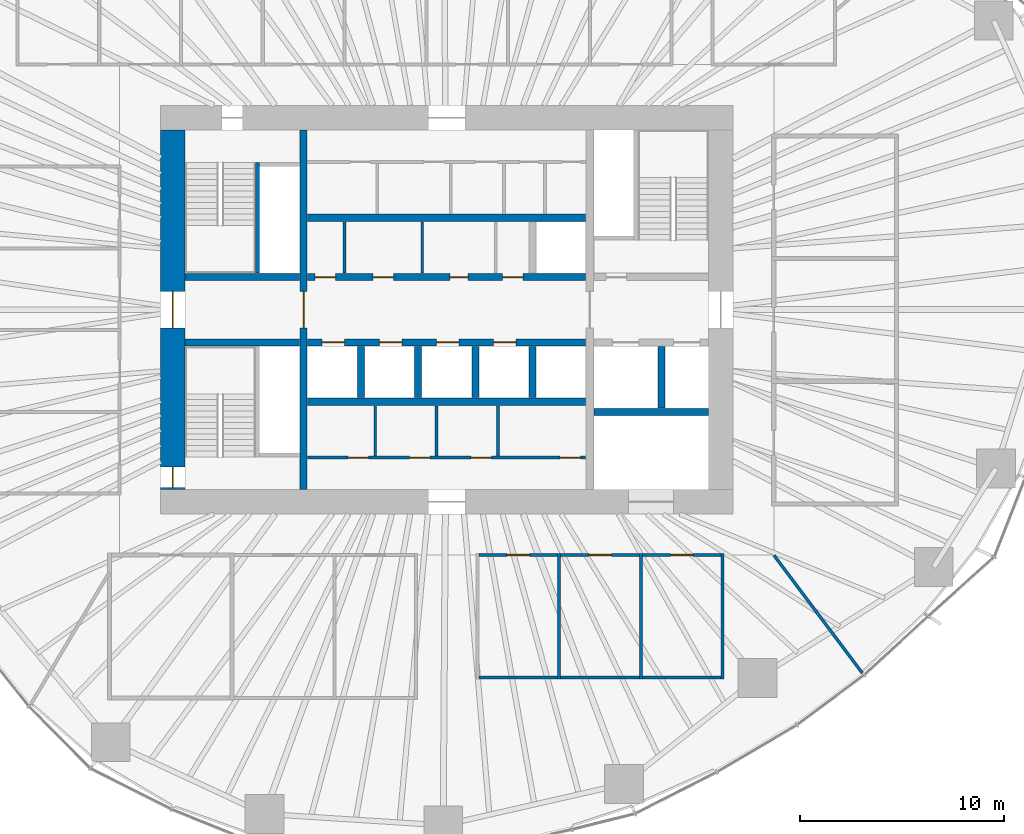
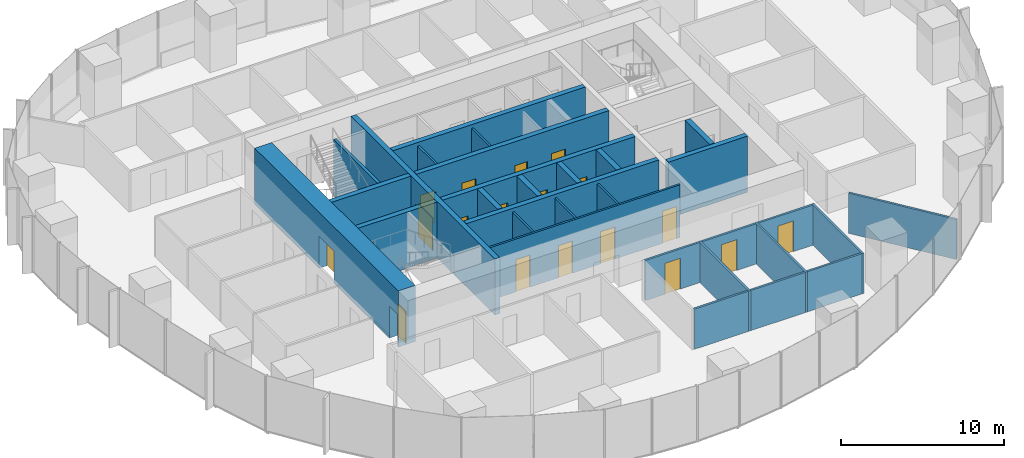
# One storey, part 9 of 20: 31 walls, 18 doors, 18 openings.
"""IFC4 building model written with IfcOpenShell, lengths in metres."""

import ifcopenshell
import ifcopenshell.guid

model = None  # the IFC model being written
_history = None  # IfcOwnerHistory: only IFC2X3 demands one
_inside = {}  # id of a spatial element -> (the spatial element, [elements in it])
_under = {}  # id of a project, library or spatial element -> (it, [spatial elements below it])
_declared = {}  # id of a project -> (the project, [libraries it declares])
_typed = {}  # id of a type object -> (the type object, [elements of that type])
_made_of = {}  # id of a material, layer set ... -> (it, [elements and type objects made of it])


def new_model(schema):
    """Start an empty IFC model of exactly this schema.

    Asked for "IFC4X3", IfcOpenShell would pick the latest addendum, in which some entities
    have other attributes; the version numbers below select the first issue.
    IFC2X3 requires an IfcOwnerHistory on every rooted entity: one is made here for all.
    """
    global model, _history
    if schema == "IFC4X3":
        model = ifcopenshell.file(schema_version=(4, 3, 0, 0))
    else:
        model = ifcopenshell.file(schema=schema)
    _inside.clear()
    _under.clear()
    _declared.clear()
    _typed.clear()
    _made_of.clear()
    _history = None
    if model.schema == "IFC2X3":
        org = make("IfcOrganization", Name="unknown")
        user = make(
            "IfcPersonAndOrganization",
            ThePerson=make("IfcPerson", FamilyName="unknown"),
            TheOrganization=org,
        )
        app = make(
            "IfcApplication",
            ApplicationDeveloper=org,
            Version="unknown",
            ApplicationFullName="unknown",
            ApplicationIdentifier="unknown",
        )
        _history = make(
            "IfcOwnerHistory",
            OwningUser=user,
            OwningApplication=app,
            ChangeAction="ADDED",
            CreationDate=0,
        )
    return model


def make(cls, **values):
    """One entity of the class cls with the attributes given. An attribute that is None is left unset."""
    return model.create_entity(
        cls, **{name: value for name, value in values.items() if value is not None}
    )


def rooted(cls, **values):
    """An entity with a GlobalId (a new one), such as an element, a storey or a relation."""
    return make(cls, GlobalId=ifcopenshell.guid.new(), OwnerHistory=_history, **values)


def si_unit(unit_type, name, prefix=None):
    """IfcSIUnit, for example si_unit("LENGTHUNIT", "METRE", prefix="MILLI")."""
    return make("IfcSIUnit", UnitType=unit_type, Prefix=prefix, Name=name)


def assignment(units):
    """IfcUnitAssignment: the units of a project."""
    return None if units is None else make("IfcUnitAssignment", Units=units)


def point(xyz):
    """IfcCartesianPoint."""
    return None if xyz is None else make("IfcCartesianPoint", Coordinates=xyz)


def direction(xyz):
    """IfcDirection."""
    return None if xyz is None else make("IfcDirection", DirectionRatios=xyz)


def frame(location, z_axis=None, x_axis=None):
    """IfcAxis2Placement3D, a coordinate frame: its origin and axes. An axis left out is left unset."""
    return make(
        "IfcAxis2Placement3D",
        Location=point(location),
        Axis=direction(z_axis),
        RefDirection=direction(x_axis),
    )


def frame_2d(location, x_axis=None):
    """IfcAxis2Placement2D, a coordinate frame in the plane: its origin and x axis."""
    return make(
        "IfcAxis2Placement2D", Location=point(location), RefDirection=direction(x_axis)
    )


def origin():
    """The frame at (0, 0, 0) with its axes left unset."""
    return frame((0.0, 0.0, 0.0))


def place(relative_to, where):
    """IfcLocalPlacement: puts the frame where relative to a parent placement (None: the world)."""
    return make(
        "IfcLocalPlacement", PlacementRelTo=relative_to, RelativePlacement=where
    )


def context(
    kind, dimensions, precision=None, world=None, true_north=None, identifier=None
):
    """IfcGeometricRepresentationContext, for example the 3D "Model" context."""
    return make(
        "IfcGeometricRepresentationContext",
        ContextIdentifier=identifier,
        ContextType=kind,
        CoordinateSpaceDimension=dimensions,
        Precision=precision,
        WorldCoordinateSystem=world,
        TrueNorth=true_north,
    )


def subcontext(parent, identifier, kind, view, scale=None):
    """IfcGeometricRepresentationSubContext, for example "Body" below "Model"."""
    return make(
        "IfcGeometricRepresentationSubContext",
        ContextIdentifier=identifier,
        ContextType=kind,
        ParentContext=parent,
        TargetScale=scale,
        TargetView=view,
    )


def project(units=None, contexts=None):
    """IfcProject with its units and contexts."""
    return rooted(
        "IfcProject",
        Name="project",
        RepresentationContexts=contexts,
        UnitsInContext=assignment(units),
    )


def spatial(cls, under=None, at=None, **own):
    """A site, building, storey or space (cls), placed at a placement, below another one or the project."""
    s = rooted(cls, ObjectPlacement=at, **own)
    if under is not None:
        _under.setdefault(under.id(), (under, []))[1].append(s)
    return s


def profile(cls, at=None, kind="AREA", **sizes):
    """A parametric profile (cls). Its sizes go by their IFC names, for example OverallWidth=200.0."""
    return make(cls, ProfileType=kind, Position=at, **sizes)


def rectangle(**sizes):
    """IfcRectangleProfileDef."""
    return profile("IfcRectangleProfileDef", **sizes)


def extrude(swept, where, along, depth):
    """IfcExtrudedAreaSolid: the profile swept, set in the frame where, extruded along a direction by depth."""
    return make(
        "IfcExtrudedAreaSolid",
        SweptArea=swept,
        Position=where,
        ExtrudedDirection=direction(along),
        Depth=depth,
    )


def shape(context_of_items, identifier, shape_type, items):
    """IfcShapeRepresentation: the items that make up one representation, for example the "Body"."""
    return make(
        "IfcShapeRepresentation",
        ContextOfItems=context_of_items,
        RepresentationIdentifier=identifier,
        RepresentationType=shape_type,
        Items=items,
    )


def material(Name=None, Category=None):
    """IfcMaterial."""
    return make("IfcMaterial", Name=Name, Category=Category)


def layer(
    of_material, thickness, ventilated=None, Name=None, Category=None, Priority=None
):
    """IfcMaterialLayer: one layer of a wall or slab, of a material (None: an air gap)."""
    return make(
        "IfcMaterialLayer",
        Material=of_material,
        LayerThickness=thickness,
        IsVentilated=ventilated,
        Name=Name,
        Category=Category,
        Priority=Priority,
    )


def layer_set(layers, Name=None):
    """IfcMaterialLayerSet."""
    return make("IfcMaterialLayerSet", MaterialLayers=layers, LayerSetName=Name)


def made_of(thing, what):
    """Note that an element or type object is made of a material, layer set ...; save() writes the relation."""
    if what is not None:
        _made_of.setdefault(what.id(), (what, []))[1].append(thing)
    return thing


def type_object(cls, material=None, **own):
    """A type object (cls), such as IfcWallType, which elements share."""
    return made_of(rooted(cls, **own), material)


def element(
    cls,
    number,
    at=None,
    inside=None,
    cuts=None,
    type_object=None,
    material=None,
    context=None,
    identifier="Body",
    shape_type=None,
    held_by="IfcProductDefinitionShape",
    body=None,
    shapes=None,
    **own,
):
    """One element of the class cls, such as IfcWall. Its Tag is "e" and its number.

    at: its placement. inside: the storey or other place that contains it. cuts: it is an
    opening in that element (IfcRelVoidsElement). A single representation is given by context,
    identifier, shape_type and body (its items); several are given by shapes. held_by: the class
    of the entity that holds the representations. save() writes the other relations.
    """
    e = rooted(cls, Tag="e%d" % number, ObjectPlacement=at, **own)
    if body is not None:
        shapes = [shape(context, identifier, shape_type, body)]
    if shapes is not None:
        e.Representation = make(held_by, Representations=shapes)
    if inside is not None:
        _inside.setdefault(inside.id(), (inside, []))[1].append(e)
    if cuts is not None:
        rooted(
            "IfcRelVoidsElement", RelatingBuildingElement=cuts, RelatedOpeningElement=e
        )
    if type_object is not None:
        _typed.setdefault(type_object.id(), (type_object, []))[1].append(e)
    return made_of(e, material)


def fill(opening, filler):
    """IfcRelFillsElement: the door or window that sits in an opening."""
    return rooted(
        "IfcRelFillsElement",
        RelatingOpeningElement=opening,
        RelatedBuildingElement=filler,
    )


def aggregate(whole, parts):
    """IfcRelAggregates: a whole, such as a stair, and the parts it consists of."""
    return rooted("IfcRelAggregates", RelatingObject=whole, RelatedObjects=parts)


def save(model, path):
    """Write the relations noted so far, then the file.

    IfcRelAggregates (storeys below a building ...), IfcRelContainedInSpatialStructure (elements
    in a storey), IfcRelDefinesByType, IfcRelAssociatesMaterial and IfcRelDeclares: one each for
    every whole, place, type object, material and project.
    """
    for whole, parts in _under.values():
        aggregate(whole, parts)
    for where, things in _inside.values():
        rooted(
            "IfcRelContainedInSpatialStructure",
            RelatedElements=things,
            RelatingStructure=where,
        )
    for kind, things in _typed.values():
        rooted("IfcRelDefinesByType", RelatedObjects=things, RelatingType=kind)
    for what, things in _made_of.values():
        rooted("IfcRelAssociatesMaterial", RelatedObjects=things, RelatingMaterial=what)
    for by, libraries in _declared.values():
        rooted("IfcRelDeclares", RelatingContext=by, RelatedDefinitions=libraries)
    model.write(path)


model = new_model("IFC4")

# Units and contexts
model_context = context("Model", 3, precision=1e-05, world=origin(), true_north=direction((0.0, 1.0)))
body_context = subcontext(model_context, "Body", "Model", "MODEL_VIEW")
ifc_project = project(units=[si_unit("LENGTHUNIT", "METRE"), si_unit("AREAUNIT", "SQUARE_METRE"), si_unit("VOLUMEUNIT", "CUBIC_METRE"), si_unit("PLANEANGLEUNIT", "RADIAN"), si_unit("MASSUNIT", "GRAM", prefix="KILO")], contexts=[model_context])

# Site, building, storey
site_placement = place(None, origin())
site = spatial("IfcSite", under=ifc_project, at=site_placement, CompositionType="ELEMENT")
building_placement = place(site_placement, origin())
building = spatial("IfcBuilding", under=site, at=building_placement, Name="Ghaith Harvest Tower", CompositionType="ELEMENT")
storey_placement = place(building_placement, frame((0.0, 0.0, 109.199951171875)))
storey = spatial("IfcBuildingStorey", under=building, at=storey_placement, Name="L22", CompositionType="ELEMENT", Elevation=109.199951171875)

# Wall, openings, doors
ifc_material_1 = material(Name="Concrete blockwork, fair-faced", Category="masonry")
ifc_layer_1 = layer(ifc_material_1, 0.139892578125)
ifc_layer_set_1 = layer_set([ifc_layer_1], Name="CORE PARTITION 140")
wall_type_1 = type_object("IfcWallType", Name="CORE PARTITION 140", PredefinedType="PARTITIONING", material=ifc_layer_set_1)
wall_1_placement = place(storey_placement, frame((-6.800048828125, -7.22998046875, 0.0), z_axis=(0.0, 0.0, 1.0), x_axis=(1.0, 0.0, 0.0)))
wall_1 = element("IfcWall", 1, at=wall_1_placement, inside=storey, type_object=wall_type_1, Name="Core partition L22", PredefinedType="PARTITIONING", context=body_context, shape_type="SweptSolid", body=[
    extrude(rectangle(XDim=13.60009765625, YDim=0.139892578125, at=frame_2d((6.800048828125, 0.0))), origin(), (0.0, 0.0, 1.0), 3.949951171875),
])
opening_1_placement = place(wall_1_placement, frame((1.97998046875, 0.0, 0.0)))
opening_1 = element("IfcOpeningElement", 2, at=opening_1_placement, cuts=wall_1, Name="Opening 22-013", PredefinedType="OPENING", context=body_context, shape_type="SweptSolid", body=[
    extrude(rectangle(XDim=1.0, YDim=2.39990234375, at=frame_2d((0.5, 1.199951171875))), frame((0.0, 0.080078125, 0.0), z_axis=(0.0, -1.0, 0.0), x_axis=(1.0, 0.0, 0.0)), (0.0, 0.0, 1.0), 0.159912109375),
])
opening_2_placement = place(wall_1_placement, frame((4.97998046875, 0.0, 0.0)))
opening_2 = element("IfcOpeningElement", 3, at=opening_2_placement, cuts=wall_1, Name="Opening 22-014", PredefinedType="OPENING", context=body_context, shape_type="SweptSolid", body=[
    extrude(rectangle(XDim=1.0, YDim=2.39990234375, at=frame_2d((0.5, 1.199951171875))), frame((0.0, 0.080078125, 0.0), z_axis=(0.0, -1.0, 0.0), x_axis=(1.0, 0.0, 0.0)), (0.0, 0.0, 1.0), 0.159912109375),
])
opening_3_placement = place(wall_1_placement, frame((7.97998046875, 0.0, 0.0)))
opening_3 = element("IfcOpeningElement", 4, at=opening_3_placement, cuts=wall_1, Name="Opening 22-015", PredefinedType="OPENING", context=body_context, shape_type="SweptSolid", body=[
    extrude(rectangle(XDim=1.0, YDim=2.39990234375, at=frame_2d((0.5, 1.199951171875))), frame((0.0, 0.080078125, 0.0), z_axis=(0.0, -1.0, 0.0), x_axis=(1.0, 0.0, 0.0)), (0.0, 0.0, 1.0), 0.159912109375),
])
opening_4_placement = place(wall_1_placement, frame((12.35009765625, 0.0, 0.0)))
opening_4 = element("IfcOpeningElement", 5, at=opening_4_placement, cuts=wall_1, Name="Opening 22-016", PredefinedType="OPENING", context=body_context, shape_type="SweptSolid", body=[
    extrude(rectangle(XDim=1.0, YDim=2.39990234375, at=frame_2d((0.5, 1.199951171875))), frame((0.0, 0.080078125, 0.0), z_axis=(0.0, -1.0, 0.0), x_axis=(1.0, 0.0, 0.0)), (0.0, 0.0, 1.0), 0.159912109375),
])
ifc_material_2 = material(Name="Steel fire door", Category="steel")
door_type_1 = type_object("IfcDoorType", Name="D3 FD90 1000x2400", OperationType="SINGLE_SWING_LEFT", PredefinedType="DOOR", material=ifc_material_2)
door_1_placement = place(opening_1_placement, origin())
door_1 = element("IfcDoor", 6, at=door_1_placement, inside=storey, type_object=door_type_1, Name="Electrical room door", OperationType="SINGLE_SWING_LEFT", OverallHeight=2.39990234375, OverallWidth=1.0, PredefinedType="DOOR", context=body_context, shape_type="SweptSolid", body=[
    extrude(rectangle(XDim=1.0, YDim=2.39990234375, at=frame_2d((0.5, 1.199951171875))), frame((0.0, 0.02490234375, 0.0), z_axis=(0.0, -1.0, 0.0), x_axis=(1.0, 0.0, 0.0)), (0.0, 0.0, 1.0), 0.050048828125),
])
fill(opening_1, door_1)
door_2_placement = place(opening_2_placement, origin())
door_2 = element("IfcDoor", 7, at=door_2_placement, inside=storey, type_object=door_type_1, Name="IT equipment room door", OperationType="SINGLE_SWING_LEFT", OverallHeight=2.39990234375, OverallWidth=1.0, PredefinedType="DOOR", context=body_context, shape_type="SweptSolid", body=[
    extrude(rectangle(XDim=1.0, YDim=2.39990234375, at=frame_2d((0.5, 1.199951171875))), frame((0.0, 0.02490234375, 0.0), z_axis=(0.0, -1.0, 0.0), x_axis=(1.0, 0.0, 0.0)), (0.0, 0.0, 1.0), 0.050048828125),
])
fill(opening_2, door_2)
door_3_placement = place(opening_3_placement, origin())
door_3 = element("IfcDoor", 8, at=door_3_placement, inside=storey, type_object=door_type_1, Name="Tea point door", OperationType="SINGLE_SWING_RIGHT", OverallHeight=2.39990234375, OverallWidth=1.0, PredefinedType="DOOR", context=body_context, shape_type="SweptSolid", body=[
    extrude(rectangle(XDim=1.0, YDim=2.39990234375, at=frame_2d((0.5, 1.199951171875))), frame((0.0, 0.02490234375, 0.0), z_axis=(0.0, -1.0, 0.0), x_axis=(1.0, 0.0, 0.0)), (0.0, 0.0, 1.0), 0.050048828125),
])
fill(opening_3, door_3)
door_4_placement = place(opening_4_placement, origin())
door_4 = element("IfcDoor", 9, at=door_4_placement, inside=storey, type_object=door_type_1, Name="Riser room door", OperationType="SINGLE_SWING_RIGHT", OverallHeight=2.39990234375, OverallWidth=1.0, PredefinedType="DOOR", context=body_context, shape_type="SweptSolid", body=[
    extrude(rectangle(XDim=1.0, YDim=2.39990234375, at=frame_2d((0.5, 1.199951171875))), frame((0.0, 0.02490234375, 0.0), z_axis=(0.0, -1.0, 0.0), x_axis=(1.0, 0.0, 0.0)), (0.0, 0.0, 1.0), 0.050048828125),
])
fill(opening_4, door_4)

# Walls
for number, where, z_axis, x_axis, name in (
    (10, (-3.5, -4.699951171875, 0.0), (0.0, 0.0, 1.0), (0.0, -1.0, 0.0), "Core partition L22"),
    (11, (-0.5, -4.699951171875, 0.0), (0.0, 0.0, 1.0), (0.0, -1.0, 0.0), "Core partition L22"),
    (12, (2.5, -4.699951171875, 0.0), (0.0, 0.0, 1.0), (0.0, -1.0, 0.0), "Core partition L22"),
):
    element("IfcWall", number, at=place(storey_placement, frame(where, z_axis=z_axis, x_axis=x_axis)), inside=storey, type_object=wall_type_1, Name=name, PredefinedType="PARTITIONING", context=body_context, shape_type="SweptSolid", body=[
        extrude(rectangle(XDim=2.4599609375, YDim=0.139892578125, at=frame_2d((1.22998046875, 0.0))), origin(), (0.0, 0.0, 1.0), 3.949951171875),
    ])
for number, where, z_axis, x_axis, name in (
    (13, (-5.0, 1.800048828125, 0.0), (0.0, 0.0, 1.0), (0.0, 1.0, 0.0), "Core partition L22"),
    (14, (-1.199951171875, 1.800048828125, 0.0), (0.0, 0.0, 1.0), (0.0, 1.0, 0.0), "Core partition L22"),
):
    element("IfcWall", number, at=place(storey_placement, frame(where, z_axis=z_axis, x_axis=x_axis)), inside=storey, type_object=wall_type_1, Name=name, PredefinedType="PARTITIONING", context=body_context, shape_type="SweptSolid", body=[
        extrude(rectangle(XDim=2.5, YDim=0.139892578125, at=frame_2d((1.25, 0.0))), origin(), (0.0, 0.0, 1.0), 3.949951171875),
    ])

# Wall, openings, doors
ifc_material_3 = material(Name="Concrete C60/75", Category="concrete")
ifc_layer_2 = layer(ifc_material_3, 1.199951171875)
ifc_layer_set_2 = layer_set([ifc_layer_2], Name="CORE WALL CW1200 C60")
wall_type_2 = type_object("IfcWallType", Name="CORE WALL CW1200 C60", PredefinedType="SHEAR", material=ifc_layer_set_2)
wall_2_placement = place(storey_placement, frame((-13.39990234375, 8.800048828125, 0.0), z_axis=(0.0, 0.0, 1.0), x_axis=(0.0, -1.0, 0.0)))
wall_2 = element("IfcWall", 15, at=wall_2_placement, inside=storey, type_object=wall_type_2, Name="Core wall W L22", PredefinedType="SHEAR", context=body_context, shape_type="SweptSolid", body=[
    extrude(rectangle(XDim=17.60009765625, YDim=1.199951171875, at=frame_2d((8.800048828125, 0.0))), origin(), (0.0, 0.0, 1.0), 4.199951171875),
])
opening_5_placement = place(wall_2_placement, frame((7.89990234375, 0.0, 0.0)))
opening_5 = element("IfcOpeningElement", 16, at=opening_5_placement, cuts=wall_2, Name="Opening 22-001", PredefinedType="OPENING", context=body_context, shape_type="SweptSolid", body=[
    extrude(rectangle(XDim=1.800048828125, YDim=2.39990234375, at=frame_2d((0.89990234375, 1.199951171875))), frame((0.0, 0.60986328125, 0.0), z_axis=(0.0, -1.0, 0.0), x_axis=(1.0, 0.0, 0.0)), (0.0, 0.0, 1.0), 1.219970703125),
])
opening_6_placement = place(wall_2_placement, frame((16.5, 0.0, 0.0)))
opening_6 = element("IfcOpeningElement", 17, at=opening_6_placement, cuts=wall_2, Name="Opening 22-006", PredefinedType="OPENING", context=body_context, shape_type="SweptSolid", body=[
    extrude(rectangle(XDim=1.0, YDim=2.39990234375, at=frame_2d((0.5, 1.199951171875))), frame((0.0, 0.60986328125, 0.0), z_axis=(0.0, -1.0, 0.0), x_axis=(1.0, 0.0, 0.0)), (0.0, 0.0, 1.0), 1.219970703125),
])
door_5_placement = place(opening_6_placement, origin())
door_5 = element("IfcDoor", 18, at=door_5_placement, inside=storey, type_object=door_type_1, Name="Stair ST3 door", OperationType="SINGLE_SWING_RIGHT", OverallHeight=2.39990234375, OverallWidth=1.0, PredefinedType="DOOR", context=body_context, shape_type="SweptSolid", body=[
    extrude(rectangle(XDim=1.0, YDim=2.39990234375, at=frame_2d((0.5, 1.199951171875))), frame((0.0, 0.02490234375, 0.0), z_axis=(0.0, -1.0, 0.0), x_axis=(1.0, 0.0, 0.0)), (0.0, 0.0, 1.0), 0.050048828125),
])
fill(opening_6, door_5)
ifc_material_4 = material(Name="Steel fire door", Category="steel")
door_type_2 = type_object("IfcDoorType", Name="D4 FD90 PAIR 1800x2400", OperationType="DOUBLE_DOOR_SINGLE_SWING", PredefinedType="DOOR", material=ifc_material_4)
door_6_placement = place(opening_5_placement, origin())
door_6 = element("IfcDoor", 19, at=door_6_placement, inside=storey, type_object=door_type_2, Name="West lobby doors", OperationType="DOUBLE_DOOR_SINGLE_SWING", OverallHeight=2.39990234375, OverallWidth=1.800048828125, PredefinedType="DOOR", context=body_context, shape_type="SweptSolid", body=[
    extrude(rectangle(XDim=1.800048828125, YDim=2.39990234375, at=frame_2d((0.89990234375, 1.199951171875))), frame((0.0, 0.02490234375, 0.0), z_axis=(0.0, -1.0, 0.0), x_axis=(1.0, 0.0, 0.0)), (0.0, 0.0, 1.0), 0.050048828125),
])
fill(opening_5, door_6)

# Walls
ifc_material_5 = material(Name="Gypsum board on steel studs", Category="steel")
ifc_layer_3 = layer(ifc_material_5, 0.14990234375)
ifc_layer_set_3 = layer_set([ifc_layer_3], Name="PARTITION 150")
wall_type_3 = type_object("IfcWallType", Name="PARTITION 150", PredefinedType="PARTITIONING", material=ifc_layer_set_3)
for number, where, z_axis, x_axis, name in (
    (20, (5.5, -11.925048828125, 0.0), (0.0, 0.0, 1.0), (0.0, -1.0, 0.0), "Partition L22 row S5 cross wall 2"),
    (21, (9.5, -11.925048828125, 0.0), (0.0, 0.0, 1.0), (0.0, -1.0, 0.0), "Partition L22 row S5 cross wall 3"),
    (22, (13.5, -11.925048828125, 0.0), (0.0, 0.0, 1.0), (0.0, -1.0, 0.0), "Partition L22 row S5 cross wall 4"),
):
    element("IfcWall", number, at=place(storey_placement, frame(where, z_axis=z_axis, x_axis=x_axis)), inside=storey, type_object=wall_type_3, Name=name, PredefinedType="PARTITIONING", context=body_context, shape_type="SweptSolid", body=[
        extrude(rectangle(XDim=6.14990234375, YDim=0.14990234375, at=frame_2d((3.074951171875, 0.0))), origin(), (0.0, 0.0, 1.0), 3.0),
    ])

# Wall, opening, door
wall_3_placement = place(storey_placement, frame((1.574951171875, -12.0, 0.0), z_axis=(0.0, 0.0, 1.0), x_axis=(1.0, 0.0, 0.0)))
wall_3 = element("IfcWall", 23, at=wall_3_placement, inside=storey, type_object=wall_type_3, Name="Partition L22-16", PredefinedType="PARTITIONING", context=body_context, shape_type="SweptSolid", body=[
    extrude(rectangle(XDim=3.85009765625, YDim=0.14990234375, at=frame_2d((1.925048828125, 0.0))), origin(), (0.0, 0.0, 1.0), 3.0),
])
opening_7_placement = place(wall_3_placement, frame((1.375, 0.0, 0.0)))
opening_7 = element("IfcOpeningElement", 24, at=opening_7_placement, cuts=wall_3, Name="Opening 22-045", PredefinedType="OPENING", context=body_context, shape_type="SweptSolid", body=[
    extrude(rectangle(XDim=1.10009765625, YDim=2.300048828125, at=frame_2d((0.550048828125, 1.14990234375))), frame((0.0, 0.0849609375, 0.0), z_axis=(0.0, -1.0, 0.0), x_axis=(1.0, 0.0, 0.0)), (0.0, 0.0, 1.0), 0.169921875),
])
ifc_material_6 = material(Name="Timber-framed glazed door", Category="wood")
door_type_3 = type_object("IfcDoorType", Name="D12 GLAZED OFFICE 1100x2300", OperationType="SINGLE_SWING_LEFT", PredefinedType="DOOR", material=ifc_material_6)
door_7_placement = place(opening_7_placement, origin())
door_7 = element("IfcDoor", 25, at=door_7_placement, inside=storey, type_object=door_type_3, Name="Office door", OperationType="SINGLE_SWING_LEFT", OverallHeight=2.300048828125, OverallWidth=1.10009765625, PredefinedType="DOOR", context=body_context, shape_type="SweptSolid", body=[
    extrude(rectangle(XDim=1.10009765625, YDim=2.300048828125, at=frame_2d((0.550048828125, 1.14990234375))), frame((0.0, 0.02490234375, 0.0), z_axis=(0.0, -1.0, 0.0), x_axis=(1.0, 0.0, 0.0)), (0.0, 0.0, 1.0), 0.050048828125),
])
fill(opening_7, door_7)

# Wall
wall_4_placement = place(storey_placement, frame((1.574951171875, -18.0, 0.0), z_axis=(0.0, 0.0, 1.0), x_axis=(1.0, 0.0, 0.0)))
element("IfcWall", 26, at=wall_4_placement, inside=storey, type_object=wall_type_3, Name="Partition L22-16", PredefinedType="PARTITIONING", context=body_context, shape_type="SweptSolid", body=[
    extrude(rectangle(XDim=3.85009765625, YDim=0.14990234375, at=frame_2d((1.925048828125, 0.0))), origin(), (0.0, 0.0, 1.0), 3.0),
])

# Wall, opening, door
wall_5_placement = place(storey_placement, frame((5.574951171875, -12.0, 0.0), z_axis=(0.0, 0.0, 1.0), x_axis=(1.0, 0.0, 0.0)))
wall_5 = element("IfcWall", 27, at=wall_5_placement, inside=storey, type_object=wall_type_3, Name="Partition L22-17", PredefinedType="PARTITIONING", context=body_context, shape_type="SweptSolid", body=[
    extrude(rectangle(XDim=3.85009765625, YDim=0.14990234375, at=frame_2d((1.925048828125, 0.0))), origin(), (0.0, 0.0, 1.0), 3.0),
])
opening_8_placement = place(wall_5_placement, frame((1.375, 0.0, 0.0)))
opening_8 = element("IfcOpeningElement", 28, at=opening_8_placement, cuts=wall_5, Name="Opening 22-046", PredefinedType="OPENING", context=body_context, shape_type="SweptSolid", body=[
    extrude(rectangle(XDim=1.10009765625, YDim=2.300048828125, at=frame_2d((0.550048828125, 1.14990234375))), frame((0.0, 0.0849609375, 0.0), z_axis=(0.0, -1.0, 0.0), x_axis=(1.0, 0.0, 0.0)), (0.0, 0.0, 1.0), 0.169921875),
])
door_8_placement = place(opening_8_placement, origin())
door_8 = element("IfcDoor", 29, at=door_8_placement, inside=storey, type_object=door_type_3, Name="Office door", OperationType="SINGLE_SWING_LEFT", OverallHeight=2.300048828125, OverallWidth=1.10009765625, PredefinedType="DOOR", context=body_context, shape_type="SweptSolid", body=[
    extrude(rectangle(XDim=1.10009765625, YDim=2.300048828125, at=frame_2d((0.550048828125, 1.14990234375))), frame((0.0, 0.02490234375, 0.0), z_axis=(0.0, -1.0, 0.0), x_axis=(1.0, 0.0, 0.0)), (0.0, 0.0, 1.0), 0.050048828125),
])
fill(opening_8, door_8)

# Wall
wall_6_placement = place(storey_placement, frame((5.574951171875, -18.0, 0.0), z_axis=(0.0, 0.0, 1.0), x_axis=(1.0, 0.0, 0.0)))
element("IfcWall", 30, at=wall_6_placement, inside=storey, type_object=wall_type_3, Name="Partition L22-17", PredefinedType="PARTITIONING", context=body_context, shape_type="SweptSolid", body=[
    extrude(rectangle(XDim=3.85009765625, YDim=0.14990234375, at=frame_2d((1.925048828125, 0.0))), origin(), (0.0, 0.0, 1.0), 3.0),
])

# Wall, opening, door
wall_7_placement = place(storey_placement, frame((9.574951171875, -12.0, 0.0), z_axis=(0.0, 0.0, 1.0), x_axis=(1.0, 0.0, 0.0)))
wall_7 = element("IfcWall", 31, at=wall_7_placement, inside=storey, type_object=wall_type_3, Name="Partition L22-18", PredefinedType="PARTITIONING", context=body_context, shape_type="SweptSolid", body=[
    extrude(rectangle(XDim=3.85009765625, YDim=0.14990234375, at=frame_2d((1.925048828125, 0.0))), origin(), (0.0, 0.0, 1.0), 3.0),
])
opening_9_placement = place(wall_7_placement, frame((1.375, 0.0, 0.0)))
opening_9 = element("IfcOpeningElement", 32, at=opening_9_placement, cuts=wall_7, Name="Opening 22-047", PredefinedType="OPENING", context=body_context, shape_type="SweptSolid", body=[
    extrude(rectangle(XDim=1.10009765625, YDim=2.300048828125, at=frame_2d((0.550048828125, 1.14990234375))), frame((0.0, 0.0849609375, 0.0), z_axis=(0.0, -1.0, 0.0), x_axis=(1.0, 0.0, 0.0)), (0.0, 0.0, 1.0), 0.169921875),
])
door_9_placement = place(opening_9_placement, origin())
door_9 = element("IfcDoor", 33, at=door_9_placement, inside=storey, type_object=door_type_3, Name="Office door", OperationType="SINGLE_SWING_LEFT", OverallHeight=2.300048828125, OverallWidth=1.10009765625, PredefinedType="DOOR", context=body_context, shape_type="SweptSolid", body=[
    extrude(rectangle(XDim=1.10009765625, YDim=2.300048828125, at=frame_2d((0.550048828125, 1.14990234375))), frame((0.0, 0.02490234375, 0.0), z_axis=(0.0, -1.0, 0.0), x_axis=(1.0, 0.0, 0.0)), (0.0, 0.0, 1.0), 0.050048828125),
])
fill(opening_9, door_9)

# Walls
wall_8_placement = place(storey_placement, frame((9.574951171875, -18.0, 0.0), z_axis=(0.0, 0.0, 1.0), x_axis=(1.0, 0.0, 0.0)))
element("IfcWall", 34, at=wall_8_placement, inside=storey, type_object=wall_type_3, Name="Partition L22-18", PredefinedType="PARTITIONING", context=body_context, shape_type="SweptSolid", body=[
    extrude(rectangle(XDim=3.85009765625, YDim=0.14990234375, at=frame_2d((1.925048828125, 0.0))), origin(), (0.0, 0.0, 1.0), 3.0),
])
wall_9_placement = place(storey_placement, frame((16.011962890625, -12.01611328125, 0.0), z_axis=(0.0, 0.0, 1.0), x_axis=(0.600059749679, -0.799955184254, 0.0)))
element("IfcWall", 35, at=wall_9_placement, inside=storey, type_object=wall_type_3, Name="Partition L22 zone division", PredefinedType="PARTITIONING", context=body_context, shape_type="SweptSolid", body=[
    extrude(rectangle(XDim=7.191162109375, YDim=0.14990234375, at=frame_2d((3.595703125, 0.0))), origin(), (0.0, 0.0, 1.0), 3.0),
])

# Wall, opening, door
ifc_material_7 = material(Name="Concrete C60/75", Category="concrete")
ifc_layer_4 = layer(ifc_material_7, 0.35009765625)
ifc_layer_set_4 = layer_set([ifc_layer_4], Name="SHAFT WALL 350")
wall_type_4 = type_object("IfcWallType", Name="SHAFT WALL 350", PredefinedType="SHEAR", material=ifc_layer_set_4)
wall_10_placement = place(storey_placement, frame((-7.0, -8.800048828125, 0.0), z_axis=(0.0, 0.0, 1.0), x_axis=(0.0, 1.0, 0.0)))
wall_10 = element("IfcWall", 36, at=wall_10_placement, inside=storey, type_object=wall_type_4, Name="Shaft wall W7W L22", PredefinedType="SHEAR", context=body_context, shape_type="SweptSolid", body=[
    extrude(rectangle(XDim=17.60009765625, YDim=0.35009765625, at=frame_2d((8.800048828125, 0.0))), origin(), (0.0, 0.0, 1.0), 4.199951171875),
])
opening_10_placement = place(wall_10_placement, frame((7.89990234375, 0.0, 0.0)))
opening_10 = element("IfcOpeningElement", 37, at=opening_10_placement, cuts=wall_10, Name="Opening 22-003", PredefinedType="OPENING", context=body_context, shape_type="SweptSolid", body=[
    extrude(rectangle(XDim=1.800048828125, YDim=2.39990234375, at=frame_2d((0.89990234375, 1.199951171875))), frame((0.0, 0.18505859375, 0.0), z_axis=(0.0, -1.0, 0.0), x_axis=(1.0, 0.0, 0.0)), (0.0, 0.0, 1.0), 0.3701171875),
])
door_10_placement = place(opening_10_placement, origin())
door_10 = element("IfcDoor", 38, at=door_10_placement, inside=storey, type_object=door_type_2, Name="Lift lobby doors, west", OperationType="DOUBLE_DOOR_SINGLE_SWING", OverallHeight=2.39990234375, OverallWidth=1.800048828125, PredefinedType="DOOR", context=body_context, shape_type="SweptSolid", body=[
    extrude(rectangle(XDim=1.800048828125, YDim=2.39990234375, at=frame_2d((0.89990234375, 1.199951171875))), frame((0.0, 0.02490234375, 0.0), z_axis=(0.0, -1.0, 0.0), x_axis=(1.0, 0.0, 0.0)), (0.0, 0.0, 1.0), 0.050048828125),
])
fill(opening_10, door_10)

# Wall, openings, doors
wall_11_placement = place(storey_placement, frame((-6.800048828125, 1.60009765625, 0.0), z_axis=(0.0, 0.0, 1.0), x_axis=(1.0, 0.0, 0.0)))
wall_11 = element("IfcWall", 39, at=wall_11_placement, inside=storey, type_object=wall_type_4, Name="Shaft wall LN L22", PredefinedType="SHEAR", context=body_context, shape_type="SweptSolid", body=[
    extrude(rectangle(XDim=13.60009765625, YDim=0.35009765625, at=frame_2d((6.800048828125, 0.0))), origin(), (0.0, 0.0, 1.0), 4.199951171875),
])
opening_11_placement = place(wall_11_placement, frame((0.364990234375, 0.0, 0.0)))
opening_11 = element("IfcOpeningElement", 40, at=opening_11_placement, cuts=wall_11, Name="Opening 22-017", PredefinedType="OPENING", context=body_context, shape_type="SweptSolid", body=[
    extrude(rectangle(XDim=1.0, YDim=2.39990234375, at=frame_2d((0.5, 1.199951171875))), frame((0.0, 0.18505859375, 0.0), z_axis=(0.0, -1.0, 0.0), x_axis=(1.0, 0.0, 0.0)), (0.0, 0.0, 1.0), 0.3701171875),
])
opening_12_placement = place(wall_11_placement, frame((3.199951171875, 0.0, 0.0)))
opening_12 = element("IfcOpeningElement", 41, at=opening_12_placement, cuts=wall_11, Name="Opening 22-018", PredefinedType="OPENING", context=body_context, shape_type="SweptSolid", body=[
    extrude(rectangle(XDim=1.0, YDim=2.39990234375, at=frame_2d((0.5, 1.199951171875))), frame((0.0, 0.18505859375, 0.0), z_axis=(0.0, -1.0, 0.0), x_axis=(1.0, 0.0, 0.0)), (0.0, 0.0, 1.0), 0.3701171875),
])
opening_13_placement = place(wall_11_placement, frame((6.949951171875, 0.0, 0.0)))
opening_13 = element("IfcOpeningElement", 42, at=opening_13_placement, cuts=wall_11, Name="Opening 22-019", PredefinedType="OPENING", context=body_context, shape_type="SweptSolid", body=[
    extrude(rectangle(XDim=0.89990234375, YDim=2.39990234375, at=frame_2d((0.449951171875, 1.199951171875))), frame((0.0, 0.18505859375, 0.0), z_axis=(0.0, -1.0, 0.0), x_axis=(1.0, 0.0, 0.0)), (0.0, 0.0, 1.0), 0.3701171875),
])
opening_14_placement = place(wall_11_placement, frame((9.534912109375, 0.0, 0.0)))
opening_14 = element("IfcOpeningElement", 43, at=opening_14_placement, cuts=wall_11, Name="Opening 22-020", PredefinedType="OPENING", context=body_context, shape_type="SweptSolid", body=[
    extrude(rectangle(XDim=1.0, YDim=2.39990234375, at=frame_2d((0.5, 1.199951171875))), frame((0.0, 0.18505859375, 0.0), z_axis=(0.0, -1.0, 0.0), x_axis=(1.0, 0.0, 0.0)), (0.0, 0.0, 1.0), 0.3701171875),
])
door_11_placement = place(opening_11_placement, origin())
door_11 = element("IfcDoor", 44, at=door_11_placement, inside=storey, type_object=door_type_1, Name="Staff WC door", OperationType="SINGLE_SWING_LEFT", OverallHeight=2.39990234375, OverallWidth=1.0, PredefinedType="DOOR", context=body_context, shape_type="SweptSolid", body=[
    extrude(rectangle(XDim=1.0, YDim=2.39990234375, at=frame_2d((0.5, 1.199951171875))), frame((0.0, 0.02490234375, 0.0), z_axis=(0.0, -1.0, 0.0), x_axis=(1.0, 0.0, 0.0)), (0.0, 0.0, 1.0), 0.050048828125),
])
fill(opening_11, door_11)
door_12_placement = place(opening_12_placement, origin())
door_12 = element("IfcDoor", 45, at=door_12_placement, inside=storey, type_object=door_type_1, Name="Staff WC door", OperationType="SINGLE_SWING_LEFT", OverallHeight=2.39990234375, OverallWidth=1.0, PredefinedType="DOOR", context=body_context, shape_type="SweptSolid", body=[
    extrude(rectangle(XDim=1.0, YDim=2.39990234375, at=frame_2d((0.5, 1.199951171875))), frame((0.0, 0.02490234375, 0.0), z_axis=(0.0, -1.0, 0.0), x_axis=(1.0, 0.0, 0.0)), (0.0, 0.0, 1.0), 0.050048828125),
])
fill(opening_12, door_12)
door_13_placement = place(opening_14_placement, origin())
door_13 = element("IfcDoor", 46, at=door_13_placement, inside=storey, type_object=door_type_1, Name="Mail room door", OperationType="SINGLE_SWING_RIGHT", OverallHeight=2.39990234375, OverallWidth=1.0, PredefinedType="DOOR", context=body_context, shape_type="SweptSolid", body=[
    extrude(rectangle(XDim=1.0, YDim=2.39990234375, at=frame_2d((0.5, 1.199951171875))), frame((0.0, 0.02490234375, 0.0), z_axis=(0.0, -1.0, 0.0), x_axis=(1.0, 0.0, 0.0)), (0.0, 0.0, 1.0), 0.050048828125),
])
fill(opening_14, door_13)
ifc_material_8 = material(Name="Steel fire door", Category="steel")
door_type_4 = type_object("IfcDoorType", Name="D5 FD90 900x2400", OperationType="SINGLE_SWING_LEFT", PredefinedType="DOOR", material=ifc_material_8)
door_14_placement = place(opening_13_placement, origin())
door_14 = element("IfcDoor", 47, at=door_14_placement, inside=storey, type_object=door_type_4, Name="Lobby store door", OperationType="SINGLE_SWING_RIGHT", OverallHeight=2.39990234375, OverallWidth=0.89990234375, PredefinedType="DOOR", context=body_context, shape_type="SweptSolid", body=[
    extrude(rectangle(XDim=0.89990234375, YDim=2.39990234375, at=frame_2d((0.449951171875, 1.199951171875))), frame((0.0, 0.02490234375, 0.0), z_axis=(0.0, -1.0, 0.0), x_axis=(1.0, 0.0, 0.0)), (0.0, 0.0, 1.0), 0.050048828125),
])
fill(opening_13, door_14)

wall_12_placement = place(storey_placement, frame((-6.800048828125, -1.60009765625, 0.0), z_axis=(0.0, 0.0, 1.0), x_axis=(1.0, 0.0, 0.0)))
wall_12 = element("IfcWall", 48, at=wall_12_placement, inside=storey, type_object=wall_type_4, Name="Shaft wall LS L22", PredefinedType="SHEAR", context=body_context, shape_type="SweptSolid", body=[
    extrude(rectangle(XDim=13.60009765625, YDim=0.35009765625, at=frame_2d((6.800048828125, 0.0))), origin(), (0.0, 0.0, 1.0), 4.199951171875),
])
opening_15_placement = place(wall_12_placement, frame((0.699951171875, 0.0, 0.0)))
opening_15 = element("IfcOpeningElement", 49, at=opening_15_placement, cuts=wall_12, Name="Opening 22-023", PredefinedType="OPENING", context=body_context, shape_type="SweptSolid", body=[
    extrude(rectangle(XDim=1.10009765625, YDim=2.39990234375, at=frame_2d((0.550048828125, 1.199951171875))), frame((0.0, 0.18505859375, 0.0), z_axis=(0.0, -1.0, 0.0), x_axis=(1.0, 0.0, 0.0)), (0.0, 0.0, 1.0), 0.3701171875),
])
opening_16_placement = place(wall_12_placement, frame((3.5, 0.0, 0.0)))
opening_16 = element("IfcOpeningElement", 50, at=opening_16_placement, cuts=wall_12, Name="Opening 22-024", PredefinedType="OPENING", context=body_context, shape_type="SweptSolid", body=[
    extrude(rectangle(XDim=1.10009765625, YDim=2.39990234375, at=frame_2d((0.550048828125, 1.199951171875))), frame((0.0, 0.18505859375, 0.0), z_axis=(0.0, -1.0, 0.0), x_axis=(1.0, 0.0, 0.0)), (0.0, 0.0, 1.0), 0.3701171875),
])
opening_17_placement = place(wall_12_placement, frame((6.300048828125, 0.0, 0.0)))
opening_17 = element("IfcOpeningElement", 51, at=opening_17_placement, cuts=wall_12, Name="Opening 22-025", PredefinedType="OPENING", context=body_context, shape_type="SweptSolid", body=[
    extrude(rectangle(XDim=1.10009765625, YDim=2.39990234375, at=frame_2d((0.550048828125, 1.199951171875))), frame((0.0, 0.18505859375, 0.0), z_axis=(0.0, -1.0, 0.0), x_axis=(1.0, 0.0, 0.0)), (0.0, 0.0, 1.0), 0.3701171875),
])
opening_18_placement = place(wall_12_placement, frame((9.10009765625, 0.0, 0.0)))
opening_18 = element("IfcOpeningElement", 52, at=opening_18_placement, cuts=wall_12, Name="Opening 22-026", PredefinedType="OPENING", context=body_context, shape_type="SweptSolid", body=[
    extrude(rectangle(XDim=1.10009765625, YDim=2.39990234375, at=frame_2d((0.550048828125, 1.199951171875))), frame((0.0, 0.18505859375, 0.0), z_axis=(0.0, -1.0, 0.0), x_axis=(1.0, 0.0, 0.0)), (0.0, 0.0, 1.0), 0.3701171875),
])
ifc_material_9 = material(Name="Steel fire door", Category="steel")
door_type_5 = type_object("IfcDoorType", Name="LD1 LANDING 1100x2400", OperationType="DOUBLE_DOOR_SLIDING", PredefinedType="DOOR", material=ifc_material_9)
door_15_placement = place(opening_15_placement, origin())
door_15 = element("IfcDoor", 53, at=door_15_placement, inside=storey, type_object=door_type_5, Name="Landing door, lift LR1", OperationType="DOUBLE_DOOR_SLIDING", OverallHeight=2.39990234375, OverallWidth=1.10009765625, PredefinedType="DOOR", context=body_context, shape_type="SweptSolid", body=[
    extrude(rectangle(XDim=1.10009765625, YDim=2.39990234375, at=frame_2d((0.550048828125, 1.199951171875))), frame((0.0, 0.02490234375, 0.0), z_axis=(0.0, -1.0, 0.0), x_axis=(1.0, 0.0, 0.0)), (0.0, 0.0, 1.0), 0.050048828125),
])
fill(opening_15, door_15)
door_16_placement = place(opening_16_placement, origin())
door_16 = element("IfcDoor", 54, at=door_16_placement, inside=storey, type_object=door_type_5, Name="Landing door, lift LR2", OperationType="DOUBLE_DOOR_SLIDING", OverallHeight=2.39990234375, OverallWidth=1.10009765625, PredefinedType="DOOR", context=body_context, shape_type="SweptSolid", body=[
    extrude(rectangle(XDim=1.10009765625, YDim=2.39990234375, at=frame_2d((0.550048828125, 1.199951171875))), frame((0.0, 0.02490234375, 0.0), z_axis=(0.0, -1.0, 0.0), x_axis=(1.0, 0.0, 0.0)), (0.0, 0.0, 1.0), 0.050048828125),
])
fill(opening_16, door_16)
door_17_placement = place(opening_17_placement, origin())
door_17 = element("IfcDoor", 55, at=door_17_placement, inside=storey, type_object=door_type_5, Name="Landing door, lift LR3", OperationType="DOUBLE_DOOR_SLIDING", OverallHeight=2.39990234375, OverallWidth=1.10009765625, PredefinedType="DOOR", context=body_context, shape_type="SweptSolid", body=[
    extrude(rectangle(XDim=1.10009765625, YDim=2.39990234375, at=frame_2d((0.550048828125, 1.199951171875))), frame((0.0, 0.02490234375, 0.0), z_axis=(0.0, -1.0, 0.0), x_axis=(1.0, 0.0, 0.0)), (0.0, 0.0, 1.0), 0.050048828125),
])
fill(opening_17, door_17)
door_18_placement = place(opening_18_placement, origin())
door_18 = element("IfcDoor", 56, at=door_18_placement, inside=storey, type_object=door_type_5, Name="Landing door, lift LR4", OperationType="DOUBLE_DOOR_SLIDING", OverallHeight=2.39990234375, OverallWidth=1.10009765625, PredefinedType="DOOR", context=body_context, shape_type="SweptSolid", body=[
    extrude(rectangle(XDim=1.10009765625, YDim=2.39990234375, at=frame_2d((0.550048828125, 1.199951171875))), frame((0.0, 0.02490234375, 0.0), z_axis=(0.0, -1.0, 0.0), x_axis=(1.0, 0.0, 0.0)), (0.0, 0.0, 1.0), 0.050048828125),
])
fill(opening_18, door_18)

# Walls
for number, where, z_axis, x_axis, name in (
    (57, (-6.800048828125, 4.5, 0.0), (0.0, 0.0, 1.0), (1.0, 0.0, 0.0), "Shaft wall BN L22"),
    (58, (-6.800048828125, -4.5, 0.0), (0.0, 0.0, 1.0), (1.0, 0.0, 0.0), "Shaft wall BS L22"),
):
    element("IfcWall", number, at=place(storey_placement, frame(where, z_axis=z_axis, x_axis=x_axis)), inside=storey, type_object=wall_type_4, Name=name, PredefinedType="SHEAR", context=body_context, shape_type="SweptSolid", body=[
        extrude(rectangle(XDim=13.60009765625, YDim=0.35009765625, at=frame_2d((6.800048828125, 0.0))), origin(), (0.0, 0.0, 1.0), 4.199951171875),
    ])
for number, where, z_axis, x_axis, name in (
    (59, (-12.800048828125, 1.60009765625, 0.0), (0.0, 0.0, 1.0), (1.0, 0.0, 0.0), "Shaft wall WN L22"),
    (60, (-12.800048828125, -1.60009765625, 0.0), (0.0, 0.0, 1.0), (1.0, 0.0, 0.0), "Shaft wall WS L22"),
):
    element("IfcWall", number, at=place(storey_placement, frame(where, z_axis=z_axis, x_axis=x_axis)), inside=storey, type_object=wall_type_4, Name=name, PredefinedType="SHEAR", context=body_context, shape_type="SweptSolid", body=[
        extrude(rectangle(XDim=5.60009765625, YDim=0.35009765625, at=frame_2d((2.800048828125, 0.0))), origin(), (0.0, 0.0, 1.0), 4.199951171875),
    ])
wall_13_placement = place(storey_placement, frame((10.5, -4.800048828125, 0.0), z_axis=(0.0, 0.0, 1.0), x_axis=(0.0, 1.0, 0.0)))
element("IfcWall", 61, at=wall_13_placement, inside=storey, type_object=wall_type_4, Name="Shaft wall FLD L22", PredefinedType="SHEAR", context=body_context, shape_type="SweptSolid", body=[
    extrude(rectangle(XDim=3.0, YDim=0.35009765625, at=frame_2d((1.5, 0.0))), origin(), (0.0, 0.0, 1.0), 4.199951171875),
])
wall_14_placement = place(storey_placement, frame((7.199951171875, -5.0, 0.0), z_axis=(0.0, 0.0, 1.0), x_axis=(1.0, 0.0, 0.0)))
element("IfcWall", 62, at=wall_14_placement, inside=storey, type_object=wall_type_4, Name="Shaft wall FLB L22", PredefinedType="SHEAR", context=body_context, shape_type="SweptSolid", body=[
    extrude(rectangle(XDim=5.60009765625, YDim=0.35009765625, at=frame_2d((2.800048828125, 0.0))), origin(), (0.0, 0.0, 1.0), 4.199951171875),
])
for number, where, z_axis, x_axis, name in (
    (63, (-4.199951171875, -4.300048828125, 0.0), (0.0, 0.0, 1.0), (0.0, 1.0, 0.0), "Shaft wall DS1 L22"),
    (64, (-1.39990234375, -4.300048828125, 0.0), (0.0, 0.0, 1.0), (0.0, 1.0, 0.0), "Shaft wall DS2 L22"),
    (65, (1.39990234375, -4.300048828125, 0.0), (0.0, 0.0, 1.0), (0.0, 1.0, 0.0), "Shaft wall DS3 L22"),
    (66, (4.199951171875, -4.300048828125, 0.0), (0.0, 0.0, 1.0), (0.0, 1.0, 0.0), "Shaft wall DS4 L22"),
):
    element("IfcWall", number, at=place(storey_placement, frame(where, z_axis=z_axis, x_axis=x_axis)), inside=storey, type_object=wall_type_4, Name=name, PredefinedType="SHEAR", context=body_context, shape_type="SweptSolid", body=[
        extrude(rectangle(XDim=2.5, YDim=0.35009765625, at=frame_2d((1.25, 0.0))), origin(), (0.0, 0.0, 1.0), 4.199951171875),
    ])
ifc_material_10 = material(Name="Concrete C40/50", Category="concrete")
ifc_layer_5 = layer(ifc_material_10, 0.199951171875)
ifc_layer_set_5 = layer_set([ifc_layer_5], Name="STAIR SPINE WALL RC200")
wall_type_5 = type_object("IfcWallType", Name="STAIR SPINE WALL RC200", PredefinedType="SOLIDWALL", material=ifc_layer_set_5)
wall_15_placement = place(storey_placement, frame((-9.25, 7.199951171875, 0.0), z_axis=(0.0, 0.0, 1.0), x_axis=(0.0, -1.0, 0.0)))
element("IfcWall", 67, at=wall_15_placement, inside=storey, type_object=wall_type_5, Name="Stair ST1 spine wall L22", PredefinedType="SOLIDWALL", context=body_context, shape_type="SweptSolid", body=[
    extrude(rectangle(XDim=5.39990234375, YDim=0.199951171875, at=frame_2d((2.699951171875, 0.0))), origin(), (0.0, 0.0, 1.0), 4.199951171875),
])

save(model, "model.ifc")
